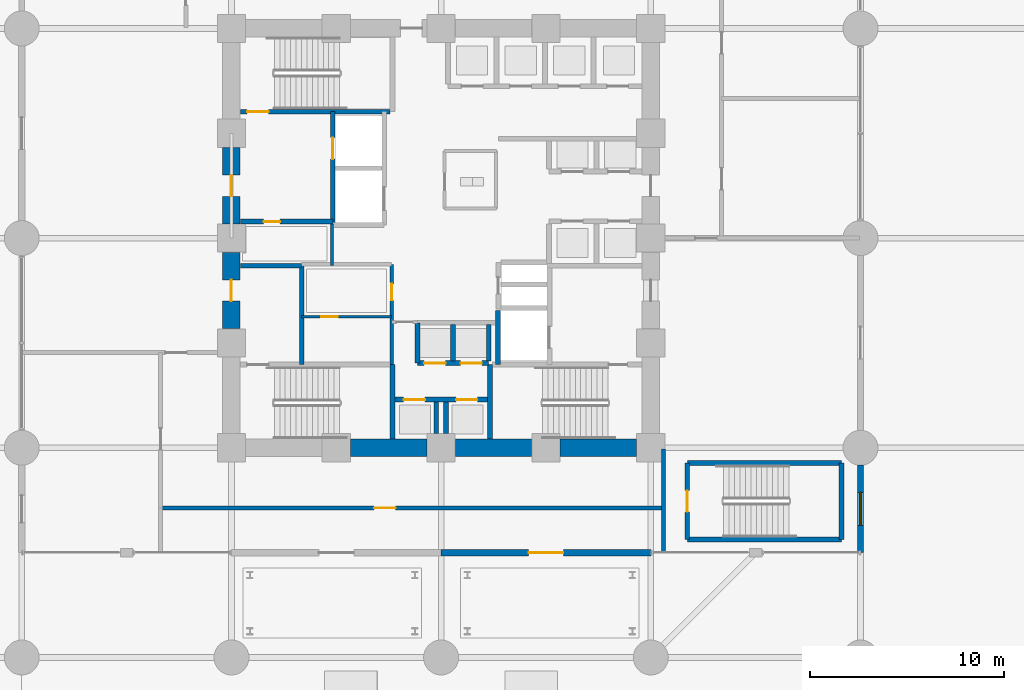
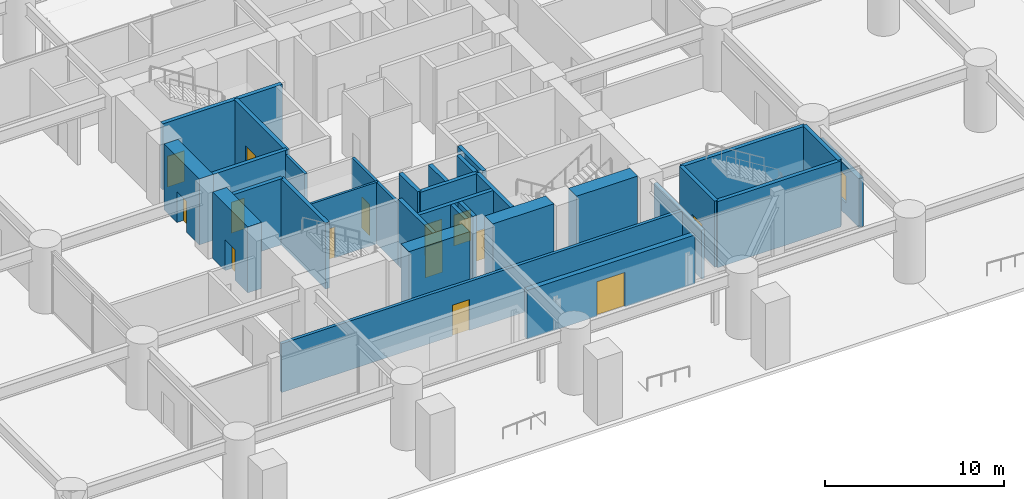
# One storey, part 19 of 29: 31 walls, 14 doors, 1 window, 15 openings.
"""IFC4 building model written with IfcOpenShell, lengths in metres."""

from ifc_helpers import new_model, si_unit, direction, frame, frame_2d, origin, place, context, subcontext, project, spatial, rectangle, extrude, material, layer, layer_set, type_object, element, fill, save


model = new_model("IFC4")

# Units and contexts
model_context = context("Model", 3, precision=1e-05, world=origin(), true_north=direction((0.0, 1.0)))
body_context = subcontext(model_context, "Body", "Model", "MODEL_VIEW")
ifc_project = project(units=[si_unit("LENGTHUNIT", "METRE"), si_unit("AREAUNIT", "SQUARE_METRE"), si_unit("VOLUMEUNIT", "CUBIC_METRE"), si_unit("PLANEANGLEUNIT", "RADIAN"), si_unit("MASSUNIT", "GRAM", prefix="KILO")], contexts=[model_context])

# Site, building, storey
site_placement = place(None, origin())
site = spatial("IfcSite", under=ifc_project, at=site_placement, CompositionType="ELEMENT")
building_placement = place(site_placement, origin())
building = spatial("IfcBuilding", under=site, at=building_placement, Name="Surkhivell Harbour Commons", CompositionType="ELEMENT")
storey_placement = place(building_placement, origin())
storey = spatial("IfcBuildingStorey", under=building, at=storey_placement, Name="L00", CompositionType="ELEMENT", Elevation=0.0)

# Wall
ifc_material_1 = material(Name="Concrete C80/95", Category="concrete")
ifc_layer_1 = layer(ifc_material_1, 0.89990234375)
ifc_layer_set_1 = layer_set([ifc_layer_1], Name="Concrete C80/95")
wall_type_1 = type_object("IfcWallType", Name="WAL-CORE-900", PredefinedType="SHEAR", material=ifc_layer_set_1)
wall_1_placement = place(storey_placement, frame((-4.6650390625, -10.800048828125, 0.0), z_axis=(0.0, 0.0, 1.0), x_axis=(1.0, 0.0, 0.0)))
element("IfcWall", 1, at=wall_1_placement, inside=storey, type_object=wall_type_1, Name="L00 Core Shear Wall South 2", PredefinedType="SHEAR", context=body_context, shape_type="SweptSolid", body=[
    extrude(rectangle(XDim=3.929931640625, YDim=0.89990234375, at=frame_2d((1.96484375, 0.0))), origin(), (0.0, 0.0, 1.0), 4.5),
])

# Wall, opening, door
wall_2_placement = place(storey_placement, frame((-10.800048828125, -4.6650390625, 0.0), z_axis=(0.0, 0.0, 1.0), x_axis=(0.0, 1.0, 0.0)))
wall_2 = element("IfcWall", 2, at=wall_2_placement, inside=storey, type_object=wall_type_1, Name="L00 Core Shear Wall West 2", PredefinedType="SHEAR", context=body_context, shape_type="SweptSolid", body=[
    extrude(rectangle(XDim=3.929931640625, YDim=0.89990234375, at=frame_2d((1.96484375, 0.0))), origin(), (0.0, 0.0, 1.0), 4.5),
])
opening_1_placement = place(wall_2_placement, frame((1.4150390625, 0.0, 0.0)))
opening_1 = element("IfcOpeningElement", 3, at=opening_1_placement, cuts=wall_2, Name="Opening ID-2", PredefinedType="OPENING", context=body_context, shape_type="SweptSolid", body=[
    extrude(rectangle(XDim=1.10009765625, YDim=2.10009765625, at=frame_2d((0.550048828125, 1.050048828125))), frame((0.0, 0.4599609375, 0.0), z_axis=(0.0, -1.0, 0.0), x_axis=(1.0, 0.0, 0.0)), (0.0, 0.0, 1.0), 0.919921875),
])
ifc_material_2 = material(Name="Hardwood-veneered fire-rated door leaf", Category="wood")
door_type_1 = type_object("IfcDoorType", Name="DOR-FD60-1100", OperationType="NOTDEFINED", PredefinedType="DOOR", material=ifc_material_2)
door_1_placement = place(opening_1_placement, origin())
door_1 = element("IfcDoor", 4, at=door_1_placement, inside=storey, type_object=door_type_1, Name="L00 Stair 3 Lobby Corridor Door", OperationType="SINGLE_SWING_LEFT", OverallHeight=2.10009765625, OverallWidth=1.10009765625, PredefinedType="DOOR", context=body_context, shape_type="SweptSolid", body=[
    extrude(rectangle(XDim=1.10009765625, YDim=2.10009765625, at=frame_2d((0.550048828125, 1.050048828125))), frame((0.0, 0.02490234375, 0.0), z_axis=(0.0, -1.0, 0.0), x_axis=(1.0, 0.0, 0.0)), (0.0, 0.0, 1.0), 0.050048828125),
])
fill(opening_1, door_1)

# Wall
wall_3_placement = place(storey_placement, frame((0.735107421875, -10.800048828125, 0.0), z_axis=(0.0, 0.0, 1.0), x_axis=(1.0, 0.0, 0.0)))
element("IfcWall", 5, at=wall_3_placement, inside=storey, type_object=wall_type_1, Name="L00 Core Shear Wall South 3", PredefinedType="SHEAR", context=body_context, shape_type="SweptSolid", body=[
    extrude(rectangle(XDim=3.929931640625, YDim=0.89990234375, at=frame_2d((1.96484375, 0.0))), origin(), (0.0, 0.0, 1.0), 4.5),
])

# Wall, opening, door
wall_4_placement = place(storey_placement, frame((-10.800048828125, 0.735107421875, 0.0), z_axis=(0.0, 0.0, 1.0), x_axis=(0.0, 1.0, 0.0)))
wall_4 = element("IfcWall", 6, at=wall_4_placement, inside=storey, type_object=wall_type_1, Name="L00 Core Shear Wall West 3", PredefinedType="SHEAR", context=body_context, shape_type="SweptSolid", body=[
    extrude(rectangle(XDim=3.929931640625, YDim=0.89990234375, at=frame_2d((1.96484375, 0.0))), origin(), (0.0, 0.0, 1.0), 4.5),
])
opening_2_placement = place(wall_4_placement, frame((1.4150390625, 0.0, 0.0)))
opening_2 = element("IfcOpeningElement", 7, at=opening_2_placement, cuts=wall_4, Name="Opening ID-1", PredefinedType="OPENING", context=body_context, shape_type="SweptSolid", body=[
    extrude(rectangle(XDim=1.10009765625, YDim=2.10009765625, at=frame_2d((0.550048828125, 1.050048828125))), frame((0.0, 0.4599609375, 0.0), z_axis=(0.0, -1.0, 0.0), x_axis=(1.0, 0.0, 0.0)), (0.0, 0.0, 1.0), 0.919921875),
])
door_type_2 = type_object("IfcDoorType", Name="DOR-FD120-1100", OperationType="NOTDEFINED", PredefinedType="DOOR", material=ifc_material_2)
door_2_placement = place(opening_2_placement, origin())
door_2 = element("IfcDoor", 8, at=door_2_placement, inside=storey, type_object=door_type_2, Name="L00 Firefighting Lobby 1 Corridor Door", OperationType="SINGLE_SWING_LEFT", OverallHeight=2.10009765625, OverallWidth=1.10009765625, PredefinedType="DOOR", context=body_context, shape_type="SweptSolid", body=[
    extrude(rectangle(XDim=1.10009765625, YDim=2.10009765625, at=frame_2d((0.550048828125, 1.050048828125))), frame((0.0, 0.02490234375, 0.0), z_axis=(0.0, -1.0, 0.0), x_axis=(1.0, 0.0, 0.0)), (0.0, 0.0, 1.0), 0.050048828125),
])
fill(opening_2, door_2)

# Wall
wall_5_placement = place(storey_placement, frame((6.135009765625, -10.800048828125, 0.0), z_axis=(0.0, 0.0, 1.0), x_axis=(1.0, 0.0, 0.0)))
element("IfcWall", 9, at=wall_5_placement, inside=storey, type_object=wall_type_1, Name="L00 Core Shear Wall South 4", PredefinedType="SHEAR", context=body_context, shape_type="SweptSolid", body=[
    extrude(rectangle(XDim=3.929931640625, YDim=0.89990234375, at=frame_2d((1.96484375, 0.0))), origin(), (0.0, 0.0, 1.0), 4.5),
])

# Wall, opening, window
ifc_material_3 = material(Name="Flemish-bond kiln brick and precast concrete C45/55", Category="masonry")
ifc_layer_2 = layer(ifc_material_3, 0.300048828125)
ifc_layer_set_2 = layer_set([ifc_layer_2], Name="Flemish-bond kiln brick and precast concrete C45/55")
wall_type_2 = type_object("IfcWallType", Name="WAL-EXT-BRK300", PredefinedType="STANDARD", material=ifc_layer_set_2)
wall_6_placement = place(storey_placement, frame((21.60009765625, -11.697998046875, 0.0), z_axis=(0.0, 0.0, 1.0), x_axis=(0.0, -1.0, 0.0)))
wall_6 = element("IfcWall", 10, at=wall_6_placement, inside=storey, type_object=wall_type_2, Name="L00 Corner Brick Pier Wall WW2", PredefinedType="STANDARD", context=body_context, shape_type="SweptSolid", body=[
    extrude(rectangle(XDim=4.501953125, YDim=0.300048828125, at=frame_2d((2.2509765625, 0.0))), origin(), (0.0, 0.0, 1.0), 3.3291015625),
])
opening_3_placement = place(wall_6_placement, frame((1.40087890625, 0.0, 0.800048828125)))
opening_3 = element("IfcOpeningElement", 11, at=opening_3_placement, cuts=wall_6, Name="Opening WN-07", PredefinedType="OPENING", context=body_context, shape_type="SweptSolid", body=[
    extrude(rectangle(XDim=1.699951171875, YDim=1.85009765625, at=frame_2d((0.85009765625, 0.925048828125))), frame((0.0, 0.159912109375, 0.0), z_axis=(0.0, -1.0, 0.0), x_axis=(1.0, 0.0, 0.0)), (0.0, 0.0, 1.0), 0.320068359375),
])
ifc_material_4 = material(Name="Thermal-break aluminium frame and double low-E glazing", Category="aluminium")
window_type = type_object("IfcWindowType", Name="WIN-CON-1700x1850", PartitioningType="SINGLE_PANEL", PredefinedType="WINDOW", material=ifc_material_4)
window_placement = place(opening_3_placement, origin())
window = element("IfcWindow", 12, at=window_placement, inside=storey, type_object=window_type, Name="L00 Concourse Window WW2", OverallHeight=1.85009765625, OverallWidth=1.699951171875, PartitioningType="SINGLE_PANEL", PredefinedType="WINDOW", context=body_context, shape_type="SweptSolid", body=[
    extrude(rectangle(XDim=1.699951171875, YDim=1.85009765625, at=frame_2d((0.85009765625, 0.925048828125))), frame((0.0, 0.030029296875, 0.0), z_axis=(0.0, -1.0, 0.0), x_axis=(1.0, 0.0, 0.0)), (0.0, 0.0, 1.0), 0.06005859375),
])
fill(opening_3, window)

# Wall, opening, door
ifc_material_5 = material(Name="Kiln-fired surkhi brick and precast concrete C45/55", Category="masonry")
ifc_layer_3 = layer(ifc_material_5, 0.320068359375)
ifc_layer_set_3 = layer_set([ifc_layer_3], Name="Kiln-fired surkhi brick and precast concrete C45/55")
wall_type_3 = type_object("IfcWallType", Name="WAL-EXT-BRK320", PredefinedType="STANDARD", material=ifc_layer_set_3)
wall_7_placement = place(storey_placement, frame((10.800048828125, -16.199951171875, 0.0), z_axis=(0.0, 0.0, 1.0), x_axis=(-1.0, 0.0, 0.0)))
wall_7 = element("IfcWall", 13, at=wall_7_placement, inside=storey, type_object=wall_type_3, Name="L00 Concourse Brick Facade Wall L00-EXS2", PredefinedType="STANDARD", context=body_context, shape_type="SweptSolid", body=[
    extrude(rectangle(XDim=10.800048828125, YDim=0.320068359375, at=frame_2d((5.39990234375, 0.0))), origin(), (0.0, 0.0, 1.0), 3.3291015625),
])
opening_4_placement = place(wall_7_placement, frame((4.5, 0.0, 0.0)))
opening_4 = element("IfcOpeningElement", 14, at=opening_4_placement, cuts=wall_7, Name="Opening ED-1", PredefinedType="OPENING", context=body_context, shape_type="SweptSolid", body=[
    extrude(rectangle(XDim=1.800048828125, YDim=2.35009765625, at=frame_2d((0.89990234375, 1.175048828125))), frame((0.0, 0.169921875, 0.0), z_axis=(0.0, -1.0, 0.0), x_axis=(1.0, 0.0, 0.0)), (0.0, 0.0, 1.0), 0.340087890625),
])
ifc_material_6 = material(Name="Anodised pale-metal aluminium and laminated safety glass", Category="aluminium")
door_type_3 = type_object("IfcDoorType", Name="DOR-EXT-EXIT1800", OperationType="DOUBLE_DOOR_SINGLE_SWING", PredefinedType="DOOR", material=ifc_material_6)
door_3_placement = place(opening_4_placement, origin())
door_3 = element("IfcDoor", 15, at=door_3_placement, inside=storey, type_object=door_type_3, Name="L00 Main South Arrival Final Exit Door 2", OperationType="DOUBLE_DOOR_SINGLE_SWING", OverallHeight=2.35009765625, OverallWidth=1.800048828125, PredefinedType="DOOR", context=body_context, shape_type="SweptSolid", body=[
    extrude(rectangle(XDim=1.800048828125, YDim=2.35009765625, at=frame_2d((0.89990234375, 1.175048828125))), frame((0.0, 0.02490234375, 0.0), z_axis=(0.0, -1.0, 0.0), x_axis=(1.0, 0.0, 0.0)), (0.0, 0.0, 1.0), 0.050048828125),
])
fill(opening_4, door_3)

ifc_material_7 = material(Name="Twin-stud acoustic fireboard partition", Category="other")
ifc_layer_4 = layer(ifc_material_7, 0.14990234375)
ifc_layer_set_4 = layer_set([ifc_layer_4], Name="Twin-stud acoustic fireboard partition")
wall_type_4 = type_object("IfcWallType", Name="WAL-INT-150", PredefinedType="PARTITIONING", material=ifc_layer_set_4)
wall_8_placement = place(storey_placement, frame((-7.179931640625, -4.050048828125, 0.0), z_axis=(0.0, 0.0, 1.0), x_axis=(1.0, 0.0, 0.0)))
wall_8 = element("IfcWall", 16, at=wall_8_placement, inside=storey, type_object=wall_type_4, Name="L00 Core Cut A Partition", PredefinedType="PARTITIONING", context=body_context, shape_type="SweptSolid", body=[
    extrude(rectangle(XDim=4.6298828125, YDim=0.14990234375, at=frame_2d((2.31494140625, 0.0))), origin(), (0.0, 0.0, 1.0), 4.199951171875),
])
opening_5_placement = place(wall_8_placement, frame((1.0, 0.0, 0.0)))
opening_5 = element("IfcOpeningElement", 17, at=opening_5_placement, cuts=wall_8, Name="Opening ID-6", PredefinedType="OPENING", context=body_context, shape_type="SweptSolid", body=[
    extrude(rectangle(XDim=0.85009765625, YDim=2.10009765625, at=frame_2d((0.425048828125, 1.050048828125))), frame((0.0, 0.0849609375, 0.0), z_axis=(0.0, -1.0, 0.0), x_axis=(1.0, 0.0, 0.0)), (0.0, 0.0, 1.0), 0.169921875),
])
door_type_4 = type_object("IfcDoorType", Name="DOR-FD30-850", OperationType="NOTDEFINED", PredefinedType="DOOR", material=ifc_material_2)
door_4_placement = place(opening_5_placement, origin())
door_4 = element("IfcDoor", 18, at=door_4_placement, inside=storey, type_object=door_type_4, Name="L00 Linen Room Door", OperationType="SINGLE_SWING_RIGHT", OverallHeight=2.10009765625, OverallWidth=0.85009765625, PredefinedType="DOOR", context=body_context, shape_type="SweptSolid", body=[
    extrude(rectangle(XDim=0.85009765625, YDim=2.10009765625, at=frame_2d((0.425048828125, 1.050048828125))), frame((0.0, 0.02490234375, 0.0), z_axis=(0.0, -1.0, 0.0), x_axis=(1.0, 0.0, 0.0)), (0.0, 0.0, 1.0), 0.050048828125),
])
fill(opening_5, door_4)

ifc_material_8 = material(Name="High-density acoustic blockwork fire partition", Category="masonry")
ifc_layer_5 = layer(ifc_material_8, 0.175048828125)
ifc_layer_set_5 = layer_set([ifc_layer_5], Name="High-density acoustic blockwork fire partition")
wall_type_5 = type_object("IfcWallType", Name="WAL-INT-175", PredefinedType="PARTITIONING", material=ifc_layer_set_5)
wall_9_placement = place(storey_placement, frame((-2.550048828125, -6.510009765625, 0.0), z_axis=(0.0, 0.0, 1.0), x_axis=(0.0, 1.0, 0.0)))
wall_9 = element("IfcWall", 19, at=wall_9_placement, inside=storey, type_object=wall_type_5, Name="L00 Core Service Bay East Wall", PredefinedType="PARTITIONING", context=body_context, shape_type="SweptSolid", body=[
    extrude(rectangle(XDim=5.159912109375, YDim=0.175048828125, at=frame_2d((2.580078125, 0.0))), origin(), (0.0, 0.0, 1.0), 4.199951171875),
])
opening_6_placement = place(wall_9_placement, frame((3.300048828125, 0.0, 0.0)))
opening_6 = element("IfcOpeningElement", 20, at=opening_6_placement, cuts=wall_9, Name="Opening ID-6", PredefinedType="OPENING", context=body_context, shape_type="SweptSolid", body=[
    extrude(rectangle(XDim=0.85009765625, YDim=2.10009765625, at=frame_2d((0.425048828125, 1.050048828125))), frame((0.0, 0.097412109375, 0.0), z_axis=(0.0, -1.0, 0.0), x_axis=(1.0, 0.0, 0.0)), (0.0, 0.0, 1.0), 0.195068359375),
])
door_5_placement = place(opening_6_placement, origin())
door_5 = element("IfcDoor", 21, at=door_5_placement, inside=storey, type_object=door_type_4, Name="L00 Core Reading Alcove Door", OperationType="SINGLE_SWING_LEFT", OverallHeight=2.10009765625, OverallWidth=0.85009765625, PredefinedType="DOOR", context=body_context, shape_type="SweptSolid", body=[
    extrude(rectangle(XDim=0.85009765625, YDim=2.10009765625, at=frame_2d((0.425048828125, 1.050048828125))), frame((0.0, 0.02490234375, 0.0), z_axis=(0.0, -1.0, 0.0), x_axis=(1.0, 0.0, 0.0)), (0.0, 0.0, 1.0), 0.050048828125),
])
fill(opening_6, door_5)

# Walls
wall_10_placement = place(storey_placement, frame((-5.6201171875, -1.419921875, 0.0), z_axis=(0.0, 0.0, 1.0), x_axis=(0.0, 1.0, 0.0)))
element("IfcWall", 22, at=wall_10_placement, inside=storey, type_object=wall_type_5, Name="L00 West Core Bay East Wall", PredefinedType="PARTITIONING", context=body_context, shape_type="SweptSolid", body=[
    extrude(rectangle(XDim=2.139892578125, YDim=0.175048828125, at=frame_2d((1.06982421875, 0.0))), origin(), (0.0, 0.0, 1.0), 4.199951171875),
])
ifc_material_9 = material(Name="Autoclaved aerated concrete blockwork and fire plaster", Category="masonry")
ifc_layer_6 = layer(ifc_material_9, 0.199951171875)
ifc_layer_set_6 = layer_set([ifc_layer_6], Name="Autoclaved aerated concrete blockwork and fire plaster")
wall_type_6 = type_object("IfcWallType", Name="WAL-INT-200", PredefinedType="PARTITIONING", material=ifc_layer_set_6)
wall_11_placement = place(storey_placement, frame((11.449951171875, -16.159912109375, 0.0), z_axis=(0.0, 0.0, 1.0), x_axis=(0.0, 1.0, 0.0)))
element("IfcWall", 23, at=wall_11_placement, inside=storey, type_object=wall_type_6, Name="L00 East Protected Exit Passage West Wall", PredefinedType="PARTITIONING", context=body_context, shape_type="SweptSolid", body=[
    extrude(rectangle(XDim=5.309814453125, YDim=0.199951171875, at=frame_2d((2.65478515625, 0.0))), origin(), (0.0, 0.0, 1.0), 3.3291015625),
])

# Wall, opening, door
wall_12_placement = place(storey_placement, frame((-14.449951171875, -13.89990234375, 0.0), z_axis=(0.0, 0.0, 1.0), x_axis=(1.0, 0.0, 0.0)))
wall_12 = element("IfcWall", 24, at=wall_12_placement, inside=storey, type_object=wall_type_6, Name="L00 Concourse South Wall", PredefinedType="PARTITIONING", context=body_context, shape_type="SweptSolid", body=[
    extrude(rectangle(XDim=25.89990234375, YDim=0.199951171875, at=frame_2d((12.949951171875, 0.0))), origin(), (0.0, 0.0, 1.0), 3.3291015625),
])
opening_7_placement = place(wall_12_placement, frame((11.0, 0.0, 0.0)))
opening_7 = element("IfcOpeningElement", 25, at=opening_7_placement, cuts=wall_12, Name="Opening ID-2", PredefinedType="OPENING", context=body_context, shape_type="SweptSolid", body=[
    extrude(rectangle(XDim=1.10009765625, YDim=2.10009765625, at=frame_2d((0.550048828125, 1.050048828125))), frame((0.0, 0.10986328125, 0.0), z_axis=(0.0, -1.0, 0.0), x_axis=(1.0, 0.0, 0.0)), (0.0, 0.0, 1.0), 0.219970703125),
])
door_6_placement = place(opening_7_placement, origin())
door_6 = element("IfcDoor", 26, at=door_6_placement, inside=storey, type_object=door_type_1, Name="L00 Main Harbour Arrival Concourse Door", OperationType="SINGLE_SWING_RIGHT", OverallHeight=2.10009765625, OverallWidth=1.10009765625, PredefinedType="DOOR", context=body_context, shape_type="SweptSolid", body=[
    extrude(rectangle(XDim=1.10009765625, YDim=2.10009765625, at=frame_2d((0.550048828125, 1.050048828125))), frame((0.0, 0.02490234375, 0.0), z_axis=(0.0, -1.0, 0.0), x_axis=(1.0, 0.0, 0.0)), (0.0, 0.0, 1.0), 0.050048828125),
])
fill(opening_7, door_6)

ifc_material_10 = material(Name="Concrete C50/60", Category="concrete")
ifc_layer_7 = layer(ifc_material_10, 0.25)
ifc_layer_set_7 = layer_set([ifc_layer_7], Name="Concrete C50/60")
wall_type_7 = type_object("IfcWallType", Name="WAL-SHAFT-250", PredefinedType="SHEAR", material=ifc_layer_set_7)
wall_13_placement = place(storey_placement, frame((-5.580078125, 0.719970703125, 0.0), z_axis=(0.0, 0.0, 1.0), x_axis=(0.0, 1.0, 0.0)))
wall_13 = element("IfcWall", 27, at=wall_13_placement, inside=storey, type_object=wall_type_7, Name="L00 Firefighting Lobby 1 East Shaft Wall", PredefinedType="SHEAR", context=body_context, shape_type="SweptSolid", body=[
    extrude(rectangle(XDim=5.7900390625, YDim=0.25, at=frame_2d((2.89501953125, 0.0))), origin(), (0.0, 0.0, 1.0), 4.5),
])
opening_8_placement = place(wall_13_placement, frame((3.35009765625, 0.0, 0.0)))
opening_8 = element("IfcOpeningElement", 28, at=opening_8_placement, cuts=wall_13, Name="Opening LD-1", PredefinedType="OPENING", context=body_context, shape_type="SweptSolid", body=[
    extrude(rectangle(XDim=1.10009765625, YDim=2.10009765625, at=frame_2d((0.550048828125, 1.050048828125))), frame((0.0, 0.135009765625, 0.0), z_axis=(0.0, -1.0, 0.0), x_axis=(1.0, 0.0, 0.0)), (0.0, 0.0, 1.0), 0.27001953125),
])
ifc_material_11 = material(Name="Brushed stainless steel S355", Category="steel")
door_type_5 = type_object("IfcDoorType", Name="DOR-LD-1100", OperationType="SLIDING_TO_LEFT", PredefinedType="DOOR", material=ifc_material_11)
door_7_placement = place(opening_8_placement, origin())
door_7 = element("IfcDoor", 29, at=door_7_placement, inside=storey, type_object=door_type_5, Name="L00 Lift Landing Door LD-FFL1", OperationType="SLIDING_TO_LEFT", OverallHeight=2.10009765625, OverallWidth=1.10009765625, PredefinedType="DOOR", context=body_context, shape_type="SweptSolid", body=[
    extrude(rectangle(XDim=1.10009765625, YDim=2.10009765625, at=frame_2d((0.550048828125, 1.050048828125))), frame((0.0, 0.02490234375, 0.0), z_axis=(0.0, -1.0, 0.0), x_axis=(1.0, 0.0, 0.0)), (0.0, 0.0, 1.0), 0.050048828125),
])
fill(opening_8, door_7)

wall_14_placement = place(storey_placement, frame((-10.340087890625, 0.85009765625, 0.0), z_axis=(0.0, 0.0, 1.0), x_axis=(1.0, 0.0, 0.0)))
wall_14 = element("IfcWall", 30, at=wall_14_placement, inside=storey, type_object=wall_type_7, Name="L00 Firefighting Lobby 1 South Wall", PredefinedType="SHEAR", context=body_context, shape_type="SweptSolid", body=[
    extrude(rectangle(XDim=4.760009765625, YDim=0.25, at=frame_2d((2.3798828125, 0.0))), origin(), (0.0, 0.0, 1.0), 4.5),
])
opening_9_placement = place(wall_14_placement, frame((1.199951171875, 0.0, 0.0)))
opening_9 = element("IfcOpeningElement", 31, at=opening_9_placement, cuts=wall_14, Name="Opening ID-6", PredefinedType="OPENING", context=body_context, shape_type="SweptSolid", body=[
    extrude(rectangle(XDim=0.85009765625, YDim=2.10009765625, at=frame_2d((0.425048828125, 1.050048828125))), frame((0.0, 0.135009765625, 0.0), z_axis=(0.0, -1.0, 0.0), x_axis=(1.0, 0.0, 0.0)), (0.0, 0.0, 1.0), 0.27001953125),
])
door_8_placement = place(opening_9_placement, origin())
door_8 = element("IfcDoor", 32, at=door_8_placement, inside=storey, type_object=door_type_4, Name="L00 West Quiet Study Door", OperationType="SINGLE_SWING_RIGHT", OverallHeight=2.10009765625, OverallWidth=0.85009765625, PredefinedType="DOOR", context=body_context, shape_type="SweptSolid", body=[
    extrude(rectangle(XDim=0.85009765625, YDim=2.10009765625, at=frame_2d((0.425048828125, 1.050048828125))), frame((0.0, 0.02490234375, 0.0), z_axis=(0.0, -1.0, 0.0), x_axis=(1.0, 0.0, 0.0)), (0.0, 0.0, 1.0), 0.050048828125),
])
fill(opening_9, door_8)

# Walls
wall_15_placement = place(storey_placement, frame((2.929931640625, -6.510009765625, 0.0), z_axis=(0.0, 0.0, 1.0), x_axis=(0.0, 1.0, 0.0)))
element("IfcWall", 33, at=wall_15_placement, inside=storey, type_object=wall_type_7, Name="L00 FFL2 West Shaft Wall", PredefinedType="SHEAR", context=body_context, shape_type="SweptSolid", body=[
    extrude(rectangle(XDim=2.7900390625, YDim=0.25, at=frame_2d((1.39501953125, 0.0))), origin(), (0.0, 0.0, 1.0), 4.5),
])
for number, where, z_axis, x_axis, name in (
    (34, (0.6201171875, -6.340087890625, 0.0), (0.0, 0.0, 1.0), (0.0, 1.0, 0.0), "L00 High-Rise Side Wall N"),
    (35, (2.449951171875, -6.340087890625, 0.0), (0.0, 0.0, 1.0), (0.0, 1.0, 0.0), "L00 High-Rise Side Wall N"),
):
    element("IfcWall", number, at=place(storey_placement, frame(where, z_axis=z_axis, x_axis=x_axis)), inside=storey, type_object=wall_type_7, Name=name, PredefinedType="SHEAR", context=body_context, shape_type="SweptSolid", body=[
        extrude(rectangle(XDim=1.880126953125, YDim=0.25, at=frame_2d((0.93994140625, 0.0))), origin(), (0.0, 0.0, 1.0), 4.5),
    ])
for number, where, z_axis, x_axis, name in (
    (36, (-0.25, -10.074951171875, 0.0), (0.0, 0.0, 1.0), (0.0, 1.0, 0.0), "L00 High-Rise Side Wall S"),
    (37, (0.25, -10.074951171875, 0.0), (0.0, 0.0, 1.0), (0.0, 1.0, 0.0), "L00 High-Rise Side Wall S"),
):
    element("IfcWall", number, at=place(storey_placement, frame(where, z_axis=z_axis, x_axis=x_axis)), inside=storey, type_object=wall_type_7, Name=name, PredefinedType="SHEAR", context=body_context, shape_type="SweptSolid", body=[
        extrude(rectangle(XDim=1.635009765625, YDim=0.25, at=frame_2d((0.8173828125, 0.0))), origin(), (0.0, 0.0, 1.0), 4.5),
    ])
wall_16_placement = place(storey_placement, frame((-1.219970703125, -6.43994140625, 0.0), z_axis=(0.0, 0.0, 1.0), x_axis=(0.0, 1.0, 0.0)))
element("IfcWall", 38, at=wall_16_placement, inside=storey, type_object=wall_type_7, Name="L00 High-Rise Passage East Shaft Wall", PredefinedType="SHEAR", context=body_context, shape_type="SweptSolid", body=[
    extrude(rectangle(XDim=2.079833984375, YDim=0.25, at=frame_2d((1.0400390625, 0.0))), origin(), (0.0, 0.0, 1.0), 4.5),
])

# Wall, openings, doors
wall_17_placement = place(storey_placement, frame((-1.219970703125, -6.43994140625, 0.0), z_axis=(0.0, 0.0, 1.0), x_axis=(1.0, 0.0, 0.0)))
wall_17 = element("IfcWall", 39, at=wall_17_placement, inside=storey, type_object=wall_type_7, Name="L00 High-Rise North Front Shaft Wall", PredefinedType="SHEAR", context=body_context, shape_type="SweptSolid", body=[
    extrude(rectangle(XDim=3.669921875, YDim=0.25, at=frame_2d((1.8349609375, 0.0))), origin(), (0.0, 0.0, 1.0), 4.5),
])
opening_10_placement = place(wall_17_placement, frame((0.35009765625, 0.0, 0.0)))
opening_10 = element("IfcOpeningElement", 40, at=opening_10_placement, cuts=wall_17, Name="Opening LD-1", PredefinedType="OPENING", context=body_context, shape_type="SweptSolid", body=[
    extrude(rectangle(XDim=1.10009765625, YDim=2.10009765625, at=frame_2d((0.550048828125, 1.050048828125))), frame((0.0, 0.135009765625, 0.0), z_axis=(0.0, -1.0, 0.0), x_axis=(1.0, 0.0, 0.0)), (0.0, 0.0, 1.0), 0.27001953125),
])
opening_11_placement = place(wall_17_placement, frame((2.219970703125, 0.0, 0.0)))
opening_11 = element("IfcOpeningElement", 41, at=opening_11_placement, cuts=wall_17, Name="Opening LD-1", PredefinedType="OPENING", context=body_context, shape_type="SweptSolid", body=[
    extrude(rectangle(XDim=1.10009765625, YDim=2.10009765625, at=frame_2d((0.550048828125, 1.050048828125))), frame((0.0, 0.135009765625, 0.0), z_axis=(0.0, -1.0, 0.0), x_axis=(1.0, 0.0, 0.0)), (0.0, 0.0, 1.0), 0.27001953125),
])
door_9_placement = place(opening_10_placement, origin())
door_9 = element("IfcDoor", 42, at=door_9_placement, inside=storey, type_object=door_type_5, Name="L00 Lift Landing Door LD-PH1", OperationType="SLIDING_TO_LEFT", OverallHeight=2.10009765625, OverallWidth=1.10009765625, PredefinedType="DOOR", context=body_context, shape_type="SweptSolid", body=[
    extrude(rectangle(XDim=1.10009765625, YDim=2.10009765625, at=frame_2d((0.550048828125, 1.050048828125))), frame((0.0, 0.02490234375, 0.0), z_axis=(0.0, -1.0, 0.0), x_axis=(1.0, 0.0, 0.0)), (0.0, 0.0, 1.0), 0.050048828125),
])
fill(opening_10, door_9)
door_10_placement = place(opening_11_placement, origin())
door_10 = element("IfcDoor", 43, at=door_10_placement, inside=storey, type_object=door_type_5, Name="L00 Lift Landing Door LD-PH2", OperationType="SLIDING_TO_LEFT", OverallHeight=2.10009765625, OverallWidth=1.10009765625, PredefinedType="DOOR", context=body_context, shape_type="SweptSolid", body=[
    extrude(rectangle(XDim=1.10009765625, YDim=2.10009765625, at=frame_2d((0.550048828125, 1.050048828125))), frame((0.0, 0.02490234375, 0.0), z_axis=(0.0, -1.0, 0.0), x_axis=(1.0, 0.0, 0.0)), (0.0, 0.0, 1.0), 0.050048828125),
])
fill(opening_11, door_10)

wall_18_placement = place(storey_placement, frame((-2.47998046875, -8.320068359375, 0.0), z_axis=(0.0, 0.0, 1.0), x_axis=(1.0, 0.0, 0.0)))
wall_18 = element("IfcWall", 44, at=wall_18_placement, inside=storey, type_object=wall_type_7, Name="L00 High-Rise South Front Shaft Wall", PredefinedType="SHEAR", context=body_context, shape_type="SweptSolid", body=[
    extrude(rectangle(XDim=4.929931640625, YDim=0.25, at=frame_2d((2.46484375, 0.0))), origin(), (0.0, 0.0, 1.0), 4.5),
])
opening_12_placement = place(wall_18_placement, frame((0.550048828125, 0.0, 0.0)))
opening_12 = element("IfcOpeningElement", 45, at=opening_12_placement, cuts=wall_18, Name="Opening LD-1", PredefinedType="OPENING", context=body_context, shape_type="SweptSolid", body=[
    extrude(rectangle(XDim=1.10009765625, YDim=2.10009765625, at=frame_2d((0.550048828125, 1.050048828125))), frame((0.0, 0.135009765625, 0.0), z_axis=(0.0, -1.0, 0.0), x_axis=(1.0, 0.0, 0.0)), (0.0, 0.0, 1.0), 0.27001953125),
])
opening_13_placement = place(wall_18_placement, frame((3.25, 0.0, 0.0)))
opening_13 = element("IfcOpeningElement", 46, at=opening_13_placement, cuts=wall_18, Name="Opening LD-1", PredefinedType="OPENING", context=body_context, shape_type="SweptSolid", body=[
    extrude(rectangle(XDim=1.10009765625, YDim=2.10009765625, at=frame_2d((0.550048828125, 1.050048828125))), frame((0.0, 0.135009765625, 0.0), z_axis=(0.0, -1.0, 0.0), x_axis=(1.0, 0.0, 0.0)), (0.0, 0.0, 1.0), 0.27001953125),
])
door_11_placement = place(opening_12_placement, origin())
door_11 = element("IfcDoor", 47, at=door_11_placement, inside=storey, type_object=door_type_5, Name="L00 Lift Landing Door LD-PH3", OperationType="SLIDING_TO_LEFT", OverallHeight=2.10009765625, OverallWidth=1.10009765625, PredefinedType="DOOR", context=body_context, shape_type="SweptSolid", body=[
    extrude(rectangle(XDim=1.10009765625, YDim=2.10009765625, at=frame_2d((0.550048828125, 1.050048828125))), frame((0.0, 0.02490234375, 0.0), z_axis=(0.0, -1.0, 0.0), x_axis=(1.0, 0.0, 0.0)), (0.0, 0.0, 1.0), 0.050048828125),
])
fill(opening_12, door_11)
door_12_placement = place(opening_13_placement, origin())
door_12 = element("IfcDoor", 48, at=door_12_placement, inside=storey, type_object=door_type_5, Name="L00 Lift Landing Door LD-PH4", OperationType="SLIDING_TO_LEFT", OverallHeight=2.10009765625, OverallWidth=1.10009765625, PredefinedType="DOOR", context=body_context, shape_type="SweptSolid", body=[
    extrude(rectangle(XDim=1.10009765625, YDim=2.10009765625, at=frame_2d((0.550048828125, 1.050048828125))), frame((0.0, 0.02490234375, 0.0), z_axis=(0.0, -1.0, 0.0), x_axis=(1.0, 0.0, 0.0)), (0.0, 0.0, 1.0), 0.050048828125),
])
fill(opening_13, door_12)

# Wall, opening, door
wall_19_placement = place(storey_placement, frame((-10.340087890625, 6.510009765625, 0.0), z_axis=(0.0, 0.0, 1.0), x_axis=(1.0, 0.0, 0.0)))
wall_19 = element("IfcWall", 49, at=wall_19_placement, inside=storey, type_object=wall_type_7, Name="L00 Stair ST1 South Shear Wall", PredefinedType="SHEAR", context=body_context, shape_type="SweptSolid", body=[
    extrude(rectangle(XDim=7.7001953125, YDim=0.25, at=frame_2d((3.85009765625, 0.0))), origin(), (0.0, 0.0, 1.0), 4.5),
])
opening_14_placement = place(wall_19_placement, frame((0.35009765625, 0.0, 0.0)))
opening_14 = element("IfcOpeningElement", 50, at=opening_14_placement, cuts=wall_19, Name="Opening ID-2", PredefinedType="OPENING", context=body_context, shape_type="SweptSolid", body=[
    extrude(rectangle(XDim=1.10009765625, YDim=2.10009765625, at=frame_2d((0.550048828125, 1.050048828125))), frame((0.0, 0.135009765625, 0.0), z_axis=(0.0, -1.0, 0.0), x_axis=(1.0, 0.0, 0.0)), (0.0, 0.0, 1.0), 0.27001953125),
])
door_13_placement = place(opening_14_placement, origin())
door_13 = element("IfcDoor", 51, at=door_13_placement, inside=storey, type_object=door_type_1, Name="L00 Stair ST1 Exit Door", OperationType="SINGLE_SWING_LEFT", OverallHeight=2.10009765625, OverallWidth=1.10009765625, PredefinedType="DOOR", context=body_context, shape_type="SweptSolid", body=[
    extrude(rectangle(XDim=1.10009765625, YDim=2.10009765625, at=frame_2d((0.550048828125, 1.050048828125))), frame((0.0, 0.02490234375, 0.0), z_axis=(0.0, -1.0, 0.0), x_axis=(1.0, 0.0, 0.0)), (0.0, 0.0, 1.0), 0.050048828125),
])
fill(opening_14, door_13)

# Walls
for number, where, z_axis, x_axis, name in (
    (52, (2.510009765625, -10.35009765625, 0.0), (0.0, 0.0, 1.0), (0.0, 1.0, 0.0), "L00 Stair ST2 West Shear Wall"),
    (53, (-2.510009765625, -10.35009765625, 0.0), (0.0, 0.0, 1.0), (0.0, 1.0, 0.0), "L00 Stair ST3 East Shear Wall"),
):
    element("IfcWall", number, at=place(storey_placement, frame(where, z_axis=z_axis, x_axis=x_axis)), inside=storey, type_object=wall_type_7, Name=name, PredefinedType="SHEAR", context=body_context, shape_type="SweptSolid", body=[
        extrude(rectangle(XDim=3.840087890625, YDim=0.25, at=frame_2d((1.919921875, 0.0))), origin(), (0.0, 0.0, 1.0), 4.5),
    ])
wall_20_placement = place(storey_placement, frame((-7.179931640625, -6.510009765625, 0.0), z_axis=(0.0, 0.0, 1.0), x_axis=(0.0, 1.0, 0.0)))
element("IfcWall", 54, at=wall_20_placement, inside=storey, type_object=wall_type_7, Name="L00 Stair 3 Lobby East Wall", PredefinedType="SHEAR", context=body_context, shape_type="SweptSolid", body=[
    extrude(rectangle(XDim=5.090087890625, YDim=0.25, at=frame_2d((2.544921875, 0.0))), origin(), (0.0, 0.0, 1.0), 4.5),
])
wall_21_placement = place(storey_placement, frame((-10.340087890625, -1.419921875, 0.0), z_axis=(0.0, 0.0, 1.0), x_axis=(1.0, 0.0, 0.0)))
element("IfcWall", 55, at=wall_21_placement, inside=storey, type_object=wall_type_7, Name="L00 Stair 3 Lobby North Wall", PredefinedType="SHEAR", context=body_context, shape_type="SweptSolid", body=[
    extrude(rectangle(XDim=3.16015625, YDim=0.25, at=frame_2d((1.580078125, 0.0))), origin(), (0.0, 0.0, 1.0), 4.5),
])
wall_22_placement = place(storey_placement, frame((20.6201171875, -15.52001953125, 0.0), z_axis=(0.0, 0.0, 1.0), x_axis=(0.0, 1.0, 0.0)))
element("IfcWall", 56, at=wall_22_placement, inside=storey, type_object=wall_type_7, Name="L00 Stair ST4 East Shear Wall", PredefinedType="SHEAR", context=body_context, shape_type="SweptSolid", body=[
    extrude(rectangle(XDim=3.93994140625, YDim=0.25, at=frame_2d((1.969970703125, 0.0))), origin(), (0.0, 0.0, 1.0), 4.5),
])
for number, where, z_axis, x_axis, name in (
    (57, (12.679931640625, -11.580078125, 0.0), (0.0, 0.0, 1.0), (1.0, 0.0, 0.0), "L00 Stair ST4 North Shear Wall"),
    (58, (12.679931640625, -15.52001953125, 0.0), (0.0, 0.0, 1.0), (1.0, 0.0, 0.0), "L00 Stair ST4 South Shear Wall"),
):
    element("IfcWall", number, at=place(storey_placement, frame(where, z_axis=z_axis, x_axis=x_axis)), inside=storey, type_object=wall_type_7, Name=name, PredefinedType="SHEAR", context=body_context, shape_type="SweptSolid", body=[
        extrude(rectangle(XDim=7.940185546875, YDim=0.25, at=frame_2d((3.97021484375, 0.0))), origin(), (0.0, 0.0, 1.0), 4.5),
    ])

# Wall, opening, door
wall_23_placement = place(storey_placement, frame((12.679931640625, -15.52001953125, 0.0), z_axis=(0.0, 0.0, 1.0), x_axis=(0.0, 1.0, 0.0)))
wall_23 = element("IfcWall", 59, at=wall_23_placement, inside=storey, type_object=wall_type_7, Name="L00 Stair ST4 West Shear Wall", PredefinedType="SHEAR", context=body_context, shape_type="SweptSolid", body=[
    extrude(rectangle(XDim=3.93994140625, YDim=0.25, at=frame_2d((1.969970703125, 0.0))), origin(), (0.0, 0.0, 1.0), 4.5),
])
opening_15_placement = place(wall_23_placement, frame((1.419921875, 0.0, 0.0)))
opening_15 = element("IfcOpeningElement", 60, at=opening_15_placement, cuts=wall_23, Name="Opening ID-2", PredefinedType="OPENING", context=body_context, shape_type="SweptSolid", body=[
    extrude(rectangle(XDim=1.10009765625, YDim=2.10009765625, at=frame_2d((0.550048828125, 1.050048828125))), frame((0.0, 0.135009765625, 0.0), z_axis=(0.0, -1.0, 0.0), x_axis=(1.0, 0.0, 0.0)), (0.0, 0.0, 1.0), 0.27001953125),
])
door_14_placement = place(opening_15_placement, origin())
door_14 = element("IfcDoor", 61, at=door_14_placement, inside=storey, type_object=door_type_1, Name="L00 Podium Stair ST4 Exit Door", OperationType="SINGLE_SWING_LEFT", OverallHeight=2.10009765625, OverallWidth=1.10009765625, PredefinedType="DOOR", context=body_context, shape_type="SweptSolid", body=[
    extrude(rectangle(XDim=1.10009765625, YDim=2.10009765625, at=frame_2d((0.550048828125, 1.050048828125))), frame((0.0, 0.02490234375, 0.0), z_axis=(0.0, -1.0, 0.0), x_axis=(1.0, 0.0, 0.0)), (0.0, 0.0, 1.0), 0.050048828125),
])
fill(opening_15, door_14)

save(model, "model.ifc")
